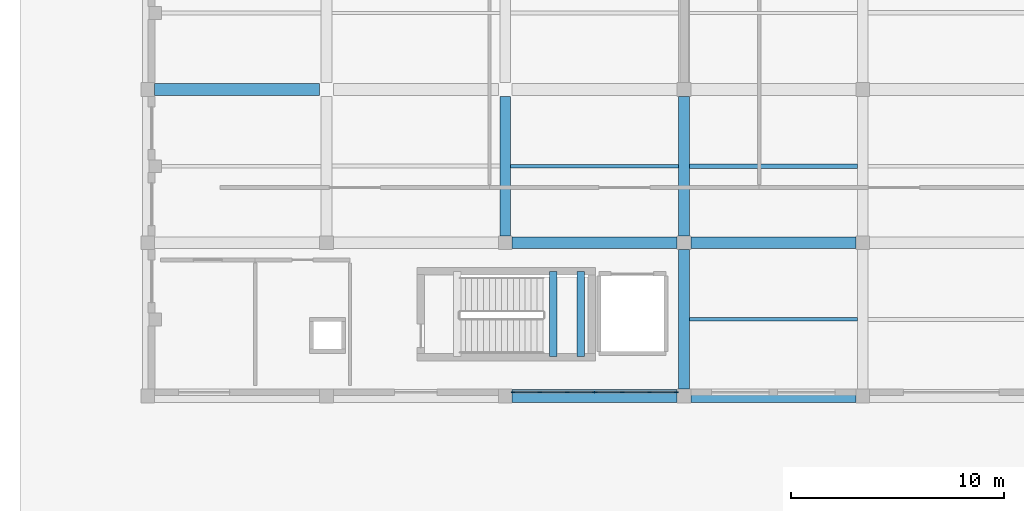
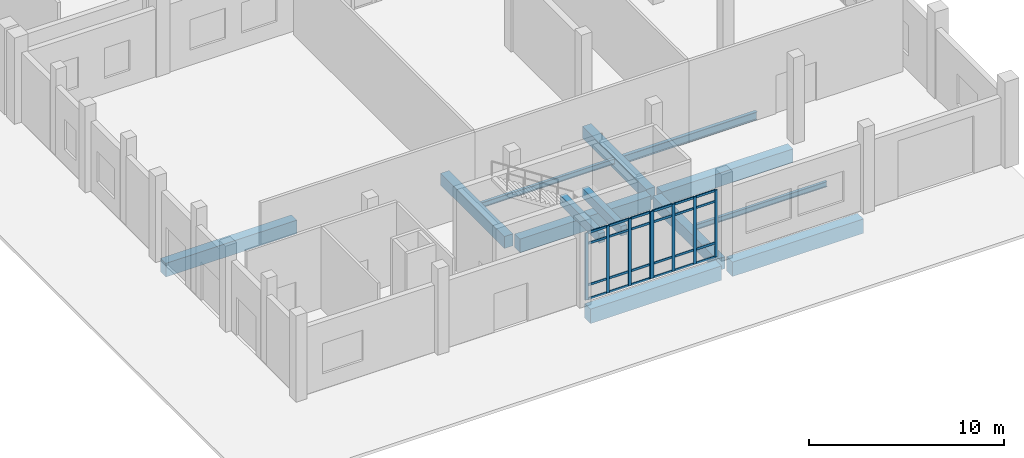
# One storey, part 4 of 79: 32 members, 13 beams, 2 elements without a shape of their own.
"""IFC4 building model written with IfcOpenShell, lengths in metres."""

from ifc_helpers import new_model, si_unit, direction, frame, origin, origin_2d, place, context, subcontext, project, spatial, rectangle, i_section, extrude, material, layer, layer_set, material_profile, profile_set, type_object, element, aggregate, save


model = new_model("IFC4")

# Units and contexts
model_context = context("Model", 3, precision=1e-05, world=origin(), true_north=direction((0.0, 1.0)))
body_context = subcontext(model_context, "Body", "Model", "MODEL_VIEW")
ifc_project = project(units=[si_unit("LENGTHUNIT", "METRE"), si_unit("AREAUNIT", "SQUARE_METRE"), si_unit("VOLUMEUNIT", "CUBIC_METRE"), si_unit("PLANEANGLEUNIT", "RADIAN"), si_unit("MASSUNIT", "GRAM", prefix="KILO")], contexts=[model_context])

# Site, building, storey
site_placement = place(None, origin())
site = spatial("IfcSite", under=ifc_project, at=site_placement, CompositionType="ELEMENT")
building_placement = place(site_placement, origin())
building = spatial("IfcBuilding", under=site, at=building_placement, Name="Kelarvand Opera House", CompositionType="ELEMENT")
storey_placement = place(building_placement, origin())
storey = spatial("IfcBuildingStorey", under=building, at=storey_placement, Name="L00", CompositionType="ELEMENT", Elevation=0.0)

# Curtain wall, members
ifc_material_1 = material(Name="Thermally broken aluminium and low-E glazing", Category="aluminium")
ifc_layer = layer(ifc_material_1, 0.179931640625, Name="Thermally broken aluminium and low-E glazing", Category="aluminium")
ifc_layer_set = layer_set([ifc_layer], Name="Thermally broken aluminium and low-E glazing")
curtain_wall_type = type_object("IfcCurtainWallType", Name="Unitised Low-E Curtain Wall 3861x4200 Mod 1350 CWF-12", PredefinedType="USERDEFINED", material=ifc_layer_set)
curtain_wall_1_placement = place(storey_placement, origin())
curtain_wall_1 = element("IfcCurtainWall", 1, at=curtain_wall_1_placement, inside=storey, type_object=curtain_wall_type, Name="V4 L00 Curtain Wall CWF-12 (113)", ObjectType="UNITISED CURTAIN WALL", PredefinedType="USERDEFINED")
ifc_material_2 = material(Name="Thermally broken anodised aluminium", Category="aluminium")
ifc_material_profile_1 = material_profile(ifc_material_2, rectangle(XDim=0.06494140625, YDim=0.179931640625, at=origin_2d()), Name="ALU MULLION 65x180", Category="aluminium")
ifc_profile_set_1 = profile_set([ifc_material_profile_1], Name="Thermally broken anodised aluminium")
member_type_1 = type_object("IfcMemberType", Name="Curtain Wall Mullion 65x180 Aluminium", PredefinedType="MULLION", material=ifc_profile_set_1)
member_1_placement = place(storey_placement, frame((33.83251953125, 9.179931640625, 0.0), z_axis=(0.0, 0.0, 1.0), x_axis=(0.0, -1.0, 0.0)))
member_1 = element("IfcMember", 2, at=member_1_placement, type_object=member_type_1, Name="CWF-12 mullion 1", PredefinedType="MULLION", context=body_context, shape_type="SweptSolid", body=[
    extrude(rectangle(XDim=0.06494140625, YDim=0.179931640625, at=origin_2d()), origin(), (0.0, 0.0, 1.0), 4.199951171875),
])
member_2_placement = place(storey_placement, frame((32.577880859375, 9.179931640625, 0.0), z_axis=(0.0, 0.0, 1.0), x_axis=(0.0, -1.0, 0.0)))
member_2 = element("IfcMember", 3, at=member_2_placement, type_object=member_type_1, Name="CWF-12 mullion 2", PredefinedType="MULLION", context=body_context, shape_type="SweptSolid", body=[
    extrude(rectangle(XDim=0.06494140625, YDim=0.179931640625, at=origin_2d()), origin(), (0.0, 0.0, 1.0), 4.199951171875),
])
member_3_placement = place(storey_placement, frame((31.291015625, 9.179931640625, 0.0), z_axis=(0.0, 0.0, 1.0), x_axis=(0.0, -1.0, 0.0)))
member_3 = element("IfcMember", 4, at=member_3_placement, type_object=member_type_1, Name="CWF-12 mullion 3", PredefinedType="MULLION", context=body_context, shape_type="SweptSolid", body=[
    extrude(rectangle(XDim=0.06494140625, YDim=0.179931640625, at=origin_2d()), origin(), (0.0, 0.0, 1.0), 4.199951171875),
])
member_4_placement = place(storey_placement, frame((30.03662109375, 9.179931640625, 0.0), z_axis=(0.0, 0.0, 1.0), x_axis=(0.0, -1.0, 0.0)))
member_4 = element("IfcMember", 5, at=member_4_placement, type_object=member_type_1, Name="CWF-12 mullion 4", PredefinedType="MULLION", context=body_context, shape_type="SweptSolid", body=[
    extrude(rectangle(XDim=0.06494140625, YDim=0.179931640625, at=origin_2d()), origin(), (0.0, 0.0, 1.0), 4.199951171875),
])

curtain_wall_2_placement = place(storey_placement, origin())
curtain_wall_2 = element("IfcCurtainWall", 6, at=curtain_wall_2_placement, inside=storey, type_object=curtain_wall_type, Name="V4 L00 Curtain Wall CWF-12 (114)", ObjectType="UNITISED CURTAIN WALL", PredefinedType="USERDEFINED")
member_5_placement = place(storey_placement, frame((29.967529296875, 9.179931640625, 0.0), z_axis=(0.0, 0.0, 1.0), x_axis=(0.0, -1.0, 0.0)))
member_5 = element("IfcMember", 7, at=member_5_placement, type_object=member_type_1, Name="CWF-12 mullion 1", PredefinedType="MULLION", context=body_context, shape_type="SweptSolid", body=[
    extrude(rectangle(XDim=0.06494140625, YDim=0.179931640625, at=origin_2d()), origin(), (0.0, 0.0, 1.0), 4.199951171875),
])
member_6_placement = place(storey_placement, frame((28.711669921875, 9.179931640625, 0.0), z_axis=(0.0, 0.0, 1.0), x_axis=(0.0, -1.0, 0.0)))
member_6 = element("IfcMember", 8, at=member_6_placement, type_object=member_type_1, Name="CWF-12 mullion 2", PredefinedType="MULLION", context=body_context, shape_type="SweptSolid", body=[
    extrude(rectangle(XDim=0.06494140625, YDim=0.179931640625, at=origin_2d()), origin(), (0.0, 0.0, 1.0), 4.199951171875),
])
member_7_placement = place(storey_placement, frame((27.42333984375, 9.179931640625, 0.0), z_axis=(0.0, 0.0, 1.0), x_axis=(0.0, -1.0, 0.0)))
member_7 = element("IfcMember", 9, at=member_7_placement, type_object=member_type_1, Name="CWF-12 mullion 3", PredefinedType="MULLION", context=body_context, shape_type="SweptSolid", body=[
    extrude(rectangle(XDim=0.06494140625, YDim=0.179931640625, at=origin_2d()), origin(), (0.0, 0.0, 1.0), 4.199951171875),
])
member_8_placement = place(storey_placement, frame((26.16748046875, 9.179931640625, 0.0), z_axis=(0.0, 0.0, 1.0), x_axis=(0.0, -1.0, 0.0)))
member_8 = element("IfcMember", 10, at=member_8_placement, type_object=member_type_1, Name="CWF-12 mullion 4", PredefinedType="MULLION", context=body_context, shape_type="SweptSolid", body=[
    extrude(rectangle(XDim=0.06494140625, YDim=0.179931640625, at=origin_2d()), origin(), (0.0, 0.0, 1.0), 4.199951171875),
])

# Member
ifc_material_profile_2 = material_profile(ifc_material_2, rectangle(XDim=0.06494140625, YDim=0.139892578125, at=origin_2d()), Name="ALU TRANSOM 65x140", Category="aluminium")
ifc_profile_set_2 = profile_set([ifc_material_profile_2], Name="Thermally broken anodised aluminium")
member_type_2 = type_object("IfcMemberType", Name="Curtain Wall Transom 65x140 Aluminium", PredefinedType="USERDEFINED", material=ifc_profile_set_2)
member_9_placement = place(storey_placement, frame((33.800048828125, 9.179931640625, 0.032470703125), z_axis=(-1.0, 0.0, 0.0), x_axis=(0.0, -1.0, 0.0)))
member_9 = element("IfcMember", 11, at=member_9_placement, type_object=member_type_2, Name="CWF-12 transom 1.1", ObjectType="TRANSOM", PredefinedType="USERDEFINED", context=body_context, shape_type="SweptSolid", body=[
    extrude(rectangle(XDim=0.06494140625, YDim=0.139892578125, at=origin_2d()), origin(), (0.0, 0.0, 1.0), 1.189453125),
])

member_10_placement = place(storey_placement, frame((33.800048828125, 9.179931640625, 0.89990234375), z_axis=(-1.0, 0.0, 0.0), x_axis=(0.0, -1.0, 0.0)))
member_10 = element("IfcMember", 12, at=member_10_placement, type_object=member_type_2, Name="CWF-12 transom 1.2", ObjectType="TRANSOM", PredefinedType="USERDEFINED", context=body_context, shape_type="SweptSolid", body=[
    extrude(rectangle(XDim=0.06494140625, YDim=0.139892578125, at=origin_2d()), origin(), (0.0, 0.0, 1.0), 1.189453125),
])

member_11_placement = place(storey_placement, frame((33.800048828125, 9.179931640625, 3.5), z_axis=(-1.0, 0.0, 0.0), x_axis=(0.0, -1.0, 0.0)))
member_11 = element("IfcMember", 13, at=member_11_placement, type_object=member_type_2, Name="CWF-12 transom 1.3", ObjectType="TRANSOM", PredefinedType="USERDEFINED", context=body_context, shape_type="SweptSolid", body=[
    extrude(rectangle(XDim=0.06494140625, YDim=0.139892578125, at=origin_2d()), origin(), (0.0, 0.0, 1.0), 1.189453125),
])

member_12_placement = place(storey_placement, frame((33.800048828125, 9.179931640625, 4.16748046875), z_axis=(-1.0, 0.0, 0.0), x_axis=(0.0, -1.0, 0.0)))
member_12 = element("IfcMember", 14, at=member_12_placement, type_object=member_type_2, Name="CWF-12 transom 1.4", ObjectType="TRANSOM", PredefinedType="USERDEFINED", context=body_context, shape_type="SweptSolid", body=[
    extrude(rectangle(XDim=0.06494140625, YDim=0.139892578125, at=origin_2d()), origin(), (0.0, 0.0, 1.0), 1.189453125),
])

member_13_placement = place(storey_placement, frame((32.54541015625, 9.179931640625, 0.032470703125), z_axis=(-1.0, 0.0, 0.0), x_axis=(0.0, -1.0, 0.0)))
member_13 = element("IfcMember", 15, at=member_13_placement, type_object=member_type_2, Name="CWF-12 transom 2.1", ObjectType="TRANSOM", PredefinedType="USERDEFINED", context=body_context, shape_type="SweptSolid", body=[
    extrude(rectangle(XDim=0.06494140625, YDim=0.139892578125, at=origin_2d()), origin(), (0.0, 0.0, 1.0), 1.221923828125),
])

member_14_placement = place(storey_placement, frame((32.54541015625, 9.179931640625, 0.89990234375), z_axis=(-1.0, 0.0, 0.0), x_axis=(0.0, -1.0, 0.0)))
member_14 = element("IfcMember", 16, at=member_14_placement, type_object=member_type_2, Name="CWF-12 transom 2.2", ObjectType="TRANSOM", PredefinedType="USERDEFINED", context=body_context, shape_type="SweptSolid", body=[
    extrude(rectangle(XDim=0.06494140625, YDim=0.139892578125, at=origin_2d()), origin(), (0.0, 0.0, 1.0), 1.221923828125),
])

member_15_placement = place(storey_placement, frame((32.54541015625, 9.179931640625, 3.5), z_axis=(-1.0, 0.0, 0.0), x_axis=(0.0, -1.0, 0.0)))
member_15 = element("IfcMember", 17, at=member_15_placement, type_object=member_type_2, Name="CWF-12 transom 2.3", ObjectType="TRANSOM", PredefinedType="USERDEFINED", context=body_context, shape_type="SweptSolid", body=[
    extrude(rectangle(XDim=0.06494140625, YDim=0.139892578125, at=origin_2d()), origin(), (0.0, 0.0, 1.0), 1.221923828125),
])

member_16_placement = place(storey_placement, frame((32.54541015625, 9.179931640625, 4.16748046875), z_axis=(-1.0, 0.0, 0.0), x_axis=(0.0, -1.0, 0.0)))
member_16 = element("IfcMember", 18, at=member_16_placement, type_object=member_type_2, Name="CWF-12 transom 2.4", ObjectType="TRANSOM", PredefinedType="USERDEFINED", context=body_context, shape_type="SweptSolid", body=[
    extrude(rectangle(XDim=0.06494140625, YDim=0.139892578125, at=origin_2d()), origin(), (0.0, 0.0, 1.0), 1.221923828125),
])

member_17_placement = place(storey_placement, frame((31.258544921875, 9.179931640625, 0.032470703125), z_axis=(-1.0, 0.0, 0.0), x_axis=(0.0, -1.0, 0.0)))
member_17 = element("IfcMember", 19, at=member_17_placement, type_object=member_type_2, Name="CWF-12 transom 3.1", ObjectType="TRANSOM", PredefinedType="USERDEFINED", context=body_context, shape_type="SweptSolid", body=[
    extrude(rectangle(XDim=0.06494140625, YDim=0.139892578125, at=origin_2d()), origin(), (0.0, 0.0, 1.0), 1.189453125),
])

member_18_placement = place(storey_placement, frame((31.258544921875, 9.179931640625, 0.89990234375), z_axis=(-1.0, 0.0, 0.0), x_axis=(0.0, -1.0, 0.0)))
member_18 = element("IfcMember", 20, at=member_18_placement, type_object=member_type_2, Name="CWF-12 transom 3.2", ObjectType="TRANSOM", PredefinedType="USERDEFINED", context=body_context, shape_type="SweptSolid", body=[
    extrude(rectangle(XDim=0.06494140625, YDim=0.139892578125, at=origin_2d()), origin(), (0.0, 0.0, 1.0), 1.189453125),
])

member_19_placement = place(storey_placement, frame((31.258544921875, 9.179931640625, 3.5), z_axis=(-1.0, 0.0, 0.0), x_axis=(0.0, -1.0, 0.0)))
member_19 = element("IfcMember", 21, at=member_19_placement, type_object=member_type_2, Name="CWF-12 transom 3.3", ObjectType="TRANSOM", PredefinedType="USERDEFINED", context=body_context, shape_type="SweptSolid", body=[
    extrude(rectangle(XDim=0.06494140625, YDim=0.139892578125, at=origin_2d()), origin(), (0.0, 0.0, 1.0), 1.189453125),
])

member_20_placement = place(storey_placement, frame((31.258544921875, 9.179931640625, 4.16748046875), z_axis=(-1.0, 0.0, 0.0), x_axis=(0.0, -1.0, 0.0)))
member_20 = element("IfcMember", 22, at=member_20_placement, type_object=member_type_2, Name="CWF-12 transom 3.4", ObjectType="TRANSOM", PredefinedType="USERDEFINED", context=body_context, shape_type="SweptSolid", body=[
    extrude(rectangle(XDim=0.06494140625, YDim=0.139892578125, at=origin_2d()), origin(), (0.0, 0.0, 1.0), 1.189453125),
])

aggregate(curtain_wall_1, [member_1, member_2, member_3, member_4, member_9, member_10, member_11, member_12, member_13, member_14, member_15, member_16, member_17, member_18, member_19, member_20])

member_21_placement = place(storey_placement, frame((29.93505859375, 9.179931640625, 0.032470703125), z_axis=(-1.0, 0.0, 0.0), x_axis=(0.0, -1.0, 0.0)))
member_21 = element("IfcMember", 23, at=member_21_placement, type_object=member_type_2, Name="CWF-12 transom 1.1", ObjectType="TRANSOM", PredefinedType="USERDEFINED", context=body_context, shape_type="SweptSolid", body=[
    extrude(rectangle(XDim=0.06494140625, YDim=0.139892578125, at=origin_2d()), origin(), (0.0, 0.0, 1.0), 1.19091796875),
])

member_22_placement = place(storey_placement, frame((29.93505859375, 9.179931640625, 0.89990234375), z_axis=(-1.0, 0.0, 0.0), x_axis=(0.0, -1.0, 0.0)))
member_22 = element("IfcMember", 24, at=member_22_placement, type_object=member_type_2, Name="CWF-12 transom 1.2", ObjectType="TRANSOM", PredefinedType="USERDEFINED", context=body_context, shape_type="SweptSolid", body=[
    extrude(rectangle(XDim=0.06494140625, YDim=0.139892578125, at=origin_2d()), origin(), (0.0, 0.0, 1.0), 1.19091796875),
])

member_23_placement = place(storey_placement, frame((29.93505859375, 9.179931640625, 3.5), z_axis=(-1.0, 0.0, 0.0), x_axis=(0.0, -1.0, 0.0)))
member_23 = element("IfcMember", 25, at=member_23_placement, type_object=member_type_2, Name="CWF-12 transom 1.3", ObjectType="TRANSOM", PredefinedType="USERDEFINED", context=body_context, shape_type="SweptSolid", body=[
    extrude(rectangle(XDim=0.06494140625, YDim=0.139892578125, at=origin_2d()), origin(), (0.0, 0.0, 1.0), 1.19091796875),
])

member_24_placement = place(storey_placement, frame((29.93505859375, 9.179931640625, 4.16748046875), z_axis=(-1.0, 0.0, 0.0), x_axis=(0.0, -1.0, 0.0)))
member_24 = element("IfcMember", 26, at=member_24_placement, type_object=member_type_2, Name="CWF-12 transom 1.4", ObjectType="TRANSOM", PredefinedType="USERDEFINED", context=body_context, shape_type="SweptSolid", body=[
    extrude(rectangle(XDim=0.06494140625, YDim=0.139892578125, at=origin_2d()), origin(), (0.0, 0.0, 1.0), 1.19091796875),
])

member_25_placement = place(storey_placement, frame((28.67919921875, 9.179931640625, 0.032470703125), z_axis=(-1.0, 0.0, 0.0), x_axis=(0.0, -1.0, 0.0)))
member_25 = element("IfcMember", 27, at=member_25_placement, type_object=member_type_2, Name="CWF-12 transom 2.1", ObjectType="TRANSOM", PredefinedType="USERDEFINED", context=body_context, shape_type="SweptSolid", body=[
    extrude(rectangle(XDim=0.06494140625, YDim=0.139892578125, at=origin_2d()), origin(), (0.0, 0.0, 1.0), 1.223388671875),
])

member_26_placement = place(storey_placement, frame((28.67919921875, 9.179931640625, 0.89990234375), z_axis=(-1.0, 0.0, 0.0), x_axis=(0.0, -1.0, 0.0)))
member_26 = element("IfcMember", 28, at=member_26_placement, type_object=member_type_2, Name="CWF-12 transom 2.2", ObjectType="TRANSOM", PredefinedType="USERDEFINED", context=body_context, shape_type="SweptSolid", body=[
    extrude(rectangle(XDim=0.06494140625, YDim=0.139892578125, at=origin_2d()), origin(), (0.0, 0.0, 1.0), 1.223388671875),
])

member_27_placement = place(storey_placement, frame((28.67919921875, 9.179931640625, 3.5), z_axis=(-1.0, 0.0, 0.0), x_axis=(0.0, -1.0, 0.0)))
member_27 = element("IfcMember", 29, at=member_27_placement, type_object=member_type_2, Name="CWF-12 transom 2.3", ObjectType="TRANSOM", PredefinedType="USERDEFINED", context=body_context, shape_type="SweptSolid", body=[
    extrude(rectangle(XDim=0.06494140625, YDim=0.139892578125, at=origin_2d()), origin(), (0.0, 0.0, 1.0), 1.223388671875),
])

member_28_placement = place(storey_placement, frame((28.67919921875, 9.179931640625, 4.16748046875), z_axis=(-1.0, 0.0, 0.0), x_axis=(0.0, -1.0, 0.0)))
member_28 = element("IfcMember", 30, at=member_28_placement, type_object=member_type_2, Name="CWF-12 transom 2.4", ObjectType="TRANSOM", PredefinedType="USERDEFINED", context=body_context, shape_type="SweptSolid", body=[
    extrude(rectangle(XDim=0.06494140625, YDim=0.139892578125, at=origin_2d()), origin(), (0.0, 0.0, 1.0), 1.223388671875),
])

member_29_placement = place(storey_placement, frame((27.390869140625, 9.179931640625, 0.032470703125), z_axis=(-1.0, 0.0, 0.0), x_axis=(0.0, -1.0, 0.0)))
member_29 = element("IfcMember", 31, at=member_29_placement, type_object=member_type_2, Name="CWF-12 transom 3.1", ObjectType="TRANSOM", PredefinedType="USERDEFINED", context=body_context, shape_type="SweptSolid", body=[
    extrude(rectangle(XDim=0.06494140625, YDim=0.139892578125, at=origin_2d()), origin(), (0.0, 0.0, 1.0), 1.19091796875),
])

member_30_placement = place(storey_placement, frame((27.390869140625, 9.179931640625, 0.89990234375), z_axis=(-1.0, 0.0, 0.0), x_axis=(0.0, -1.0, 0.0)))
member_30 = element("IfcMember", 32, at=member_30_placement, type_object=member_type_2, Name="CWF-12 transom 3.2", ObjectType="TRANSOM", PredefinedType="USERDEFINED", context=body_context, shape_type="SweptSolid", body=[
    extrude(rectangle(XDim=0.06494140625, YDim=0.139892578125, at=origin_2d()), origin(), (0.0, 0.0, 1.0), 1.19091796875),
])

member_31_placement = place(storey_placement, frame((27.390869140625, 9.179931640625, 3.5), z_axis=(-1.0, 0.0, 0.0), x_axis=(0.0, -1.0, 0.0)))
member_31 = element("IfcMember", 33, at=member_31_placement, type_object=member_type_2, Name="CWF-12 transom 3.3", ObjectType="TRANSOM", PredefinedType="USERDEFINED", context=body_context, shape_type="SweptSolid", body=[
    extrude(rectangle(XDim=0.06494140625, YDim=0.139892578125, at=origin_2d()), origin(), (0.0, 0.0, 1.0), 1.19091796875),
])

member_32_placement = place(storey_placement, frame((27.390869140625, 9.179931640625, 4.16748046875), z_axis=(-1.0, 0.0, 0.0), x_axis=(0.0, -1.0, 0.0)))
member_32 = element("IfcMember", 34, at=member_32_placement, type_object=member_type_2, Name="CWF-12 transom 3.4", ObjectType="TRANSOM", PredefinedType="USERDEFINED", context=body_context, shape_type="SweptSolid", body=[
    extrude(rectangle(XDim=0.06494140625, YDim=0.139892578125, at=origin_2d()), origin(), (0.0, 0.0, 1.0), 1.19091796875),
])

aggregate(curtain_wall_2, [member_5, member_6, member_7, member_8, member_21, member_22, member_23, member_24, member_25, member_26, member_27, member_28, member_29, member_30, member_31, member_32])

# Beams
ifc_material_3 = material(Name="Concrete C35/45", Category="concrete")
ifc_material_profile_3 = material_profile(ifc_material_3, rectangle(XDim=0.35009765625, YDim=0.60009765625, at=origin_2d()), Name="RC 350x600", Category="concrete")
ifc_profile_set_3 = profile_set([ifc_material_profile_3], Name="Concrete C35/45")
beam_type_1 = type_object("IfcBeamType", Name="Structural Beam RC 350x600 BM-RC350x600", PredefinedType="BEAM", material=ifc_profile_set_3)
for number, where, z_axis, x_axis, name in (
    (35, (28.050048828125, 10.85009765625, 2.199951171875), (0.0, 1.0, 0.0), (-1.0, 0.0, 0.0), "C6 Stair Half-Landing Beam 1 L00"),
    (36, (29.35009765625, 10.85009765625, 2.199951171875), (0.0, 1.0, 0.0), (-1.0, 0.0, 0.0), "C6 Stair Half-Landing Beam 2 L00"),
):
    element("IfcBeam", number, at=place(storey_placement, frame(where, z_axis=z_axis, x_axis=x_axis)), inside=storey, type_object=beam_type_1, Name=name, PredefinedType="BEAM", context=body_context, shape_type="SweptSolid", body=[
        extrude(rectangle(XDim=0.35009765625, YDim=0.60009765625, at=origin_2d()), origin(), (0.0, 0.0, 1.0), 4.0),
    ])
ifc_material_4 = material(Name="Concrete C40/50", Category="concrete")
ifc_material_profile_4 = material_profile(ifc_material_4, rectangle(XDim=0.5, YDim=0.75, at=origin_2d()), Name="RC 500x750", Category="concrete")
ifc_profile_set_4 = profile_set([ifc_material_profile_4], Name="Concrete C40/50")
beam_type_2 = type_object("IfcBeamType", Name="Structural Beam RC 500x750 BM-RC500x750", PredefinedType="BEAM", material=ifc_profile_set_4)
for number, where, z_axis, x_axis, name in (
    (37, (25.800048828125, 16.52490234375, -0.675048828125), (0.0, 1.0, 0.0), (-1.0, 0.0, 0.0), "V4 L00 Beam BM-RC500x750"),
    (38, (34.199951171875, 9.324951171875, -0.675048828125), (0.0, 1.0, 0.0), (-1.0, 0.0, 0.0), "V4 L00 Beam BM-RC500x750"),
    (39, (34.199951171875, 16.52490234375, -0.675048828125), (0.0, 1.0, 0.0), (-1.0, 0.0, 0.0), "V4 L00 Beam BM-RC500x750"),
):
    element("IfcBeam", number, at=place(storey_placement, frame(where, z_axis=z_axis, x_axis=x_axis)), inside=storey, type_object=beam_type_2, Name=name, PredefinedType="BEAM", context=body_context, shape_type="SweptSolid", body=[
        extrude(rectangle(XDim=0.5, YDim=0.75, at=origin_2d()), origin(), (0.0, 0.0, 1.0), 6.550048828125),
    ])
ifc_material_profile_5 = material_profile(ifc_material_4, rectangle(XDim=0.550048828125, YDim=0.85009765625, at=origin_2d()), Name="RC 550x850", Category="concrete")
ifc_profile_set_5 = profile_set([ifc_material_profile_5], Name="Concrete C40/50")
beam_type_3 = type_object("IfcBeamType", Name="Structural Beam RC 550x850 BM-RC550x850", PredefinedType="BEAM", material=ifc_profile_set_5)
for number, where, z_axis, x_axis, name in (
    (40, (26.125, 16.199951171875, -0.72509765625), (1.0, 0.0, 0.0), (0.0, 1.0, 0.0), "V4 L00 Beam BM-RC550x850"),
    (41, (34.52490234375, 16.199951171875, -0.72509765625), (1.0, 0.0, 0.0), (0.0, 1.0, 0.0), "V4 L00 Beam BM-RC550x850"),
    (42, (9.324951171875, 23.39990234375, -0.72509765625), (1.0, 0.0, 0.0), (0.0, 1.0, 0.0), "V4 L00 Beam BM-RC550x850"),
):
    element("IfcBeam", number, at=place(storey_placement, frame(where, z_axis=z_axis, x_axis=x_axis)), inside=storey, type_object=beam_type_3, Name=name, PredefinedType="BEAM", context=body_context, shape_type="SweptSolid", body=[
        extrude(rectangle(XDim=0.550048828125, YDim=0.85009765625, at=origin_2d()), origin(), (0.0, 0.0, 1.0), 7.75),
    ])
ifc_material_5 = material(Name="Steel S355", Category="steel")
ifc_material_profile_6 = material_profile(ifc_material_5, i_section(OverallWidth=0.159912109375, OverallDepth=0.330078125, WebThickness=0.007568359375, FlangeThickness=0.011474609375, at=origin_2d()), Name="IPE 330", Category="steel")
ifc_profile_set_6 = profile_set([ifc_material_profile_6], Name="Steel S355")
beam_type_4 = type_object("IfcBeamType", Name="Structural Joist IPE 330 JS-IPE330", PredefinedType="JOIST", material=ifc_profile_set_6)
beam_1_placement = place(storey_placement, frame((26.050048828125, 19.800048828125, -0.465087890625), z_axis=(1.0, 0.0, 0.0), x_axis=(0.0, 1.0, 0.0)))
element("IfcBeam", 43, at=beam_1_placement, inside=storey, type_object=beam_type_4, Name="V4 L00 Beam JS-IPE330", PredefinedType="JOIST", context=body_context, shape_type="SweptSolid", body=[
    extrude(i_section(OverallWidth=0.159912109375, OverallDepth=0.330078125, WebThickness=0.007568359375, FlangeThickness=0.011474609375, at=origin_2d()), origin(), (0.0, 0.0, 1.0), 7.89990234375),
])
beam_2_placement = place(storey_placement, frame((34.449951171875, 12.60009765625, -0.465087890625), z_axis=(1.0, 0.0, 0.0), x_axis=(0.0, 1.0, 0.0)))
element("IfcBeam", 44, at=beam_2_placement, inside=storey, type_object=beam_type_4, Name="V4 L00 Beam JS-IPE330", PredefinedType="JOIST", context=body_context, shape_type="SweptSolid", body=[
    extrude(i_section(OverallWidth=0.159912109375, OverallDepth=0.330078125, WebThickness=0.007568359375, FlangeThickness=0.011474609375, at=origin_2d()), origin(), (0.0, 0.0, 1.0), 7.900146484375),
])
ifc_material_profile_7 = material_profile(ifc_material_5, i_section(OverallWidth=0.199951171875, OverallDepth=0.5, WebThickness=0.01025390625, FlangeThickness=0.01611328125, at=origin_2d()), Name="IPE 500", Category="steel")
ifc_profile_set_7 = profile_set([ifc_material_profile_7], Name="Steel S355")
beam_type_5 = type_object("IfcBeamType", Name="Structural Joist IPE 500 JS-IPE500", PredefinedType="JOIST", material=ifc_profile_set_7)
beam_3_placement = place(storey_placement, frame((34.449951171875, 19.800048828125, -0.550048828125), z_axis=(1.0, 0.0, 0.0), x_axis=(0.0, 1.0, 0.0)))
element("IfcBeam", 45, at=beam_3_placement, inside=storey, type_object=beam_type_5, Name="V4 L00 Beam JS-IPE500", PredefinedType="JOIST", context=body_context, shape_type="SweptSolid", body=[
    extrude(i_section(OverallWidth=0.199951171875, OverallDepth=0.5, WebThickness=0.01025390625, FlangeThickness=0.01611328125, at=origin_2d()), origin(), (0.0, 0.0, 1.0), 7.900146484375),
])
ifc_material_profile_8 = material_profile(ifc_material_4, rectangle(XDim=0.60009765625, YDim=0.89990234375, at=origin_2d()), Name="RC 600x900", Category="concrete")
ifc_profile_set_8 = profile_set([ifc_material_profile_8], Name="Concrete C40/50")
beam_type_6 = type_object("IfcBeamType", Name="Structural Spandrel RC 600x900 SP-RC600x900E", PredefinedType="SPANDREL", material=ifc_profile_set_8)
for number, where, z_axis, x_axis, name in (
    (46, (26.125, 9.0, -0.75), (1.0, 0.0, 0.0), (0.0, 1.0, 0.0), "V4 L00 Beam SP-RC600x900E"),
    (47, (34.52490234375, 9.0, -0.75), (1.0, 0.0, 0.0), (0.0, 1.0, 0.0), "V4 L00 Beam SP-RC600x900E"),
):
    element("IfcBeam", number, at=place(storey_placement, frame(where, z_axis=z_axis, x_axis=x_axis)), inside=storey, type_object=beam_type_6, Name=name, PredefinedType="SPANDREL", context=body_context, shape_type="SweptSolid", body=[
        extrude(rectangle(XDim=0.60009765625, YDim=0.89990234375, at=origin_2d()), origin(), (0.0, 0.0, 1.0), 7.75),
    ])

save(model, "model.ifc")
